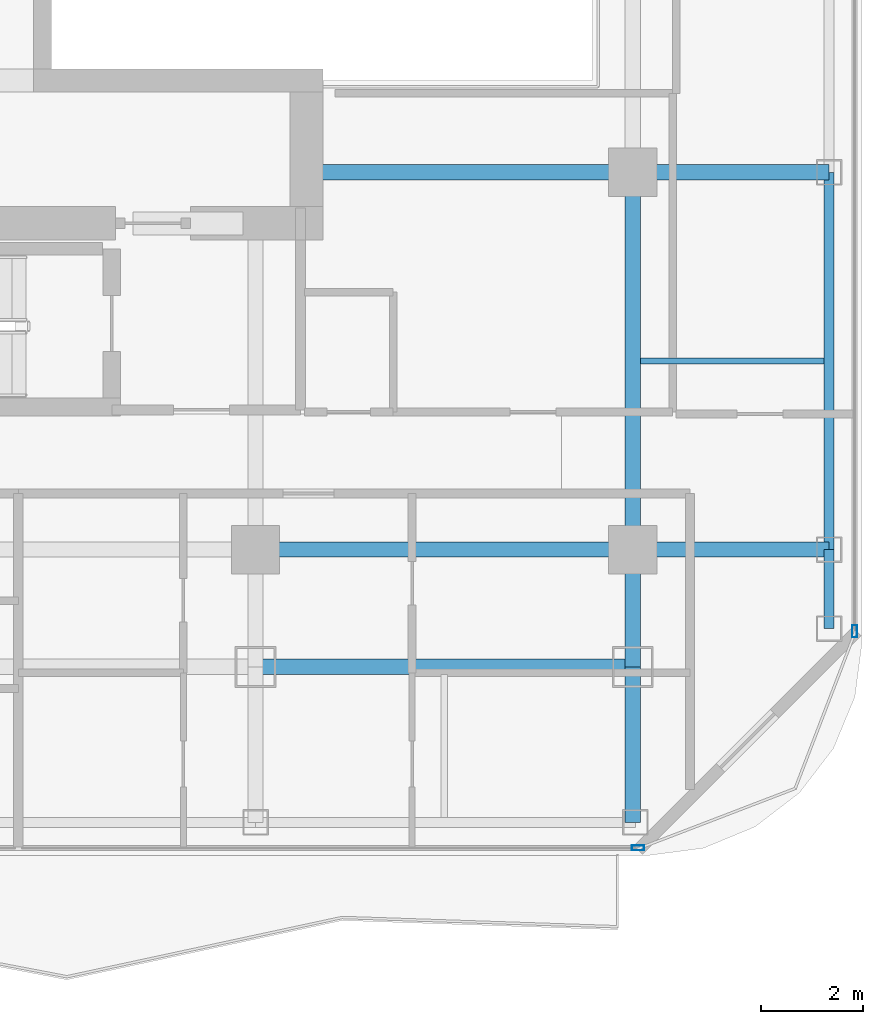
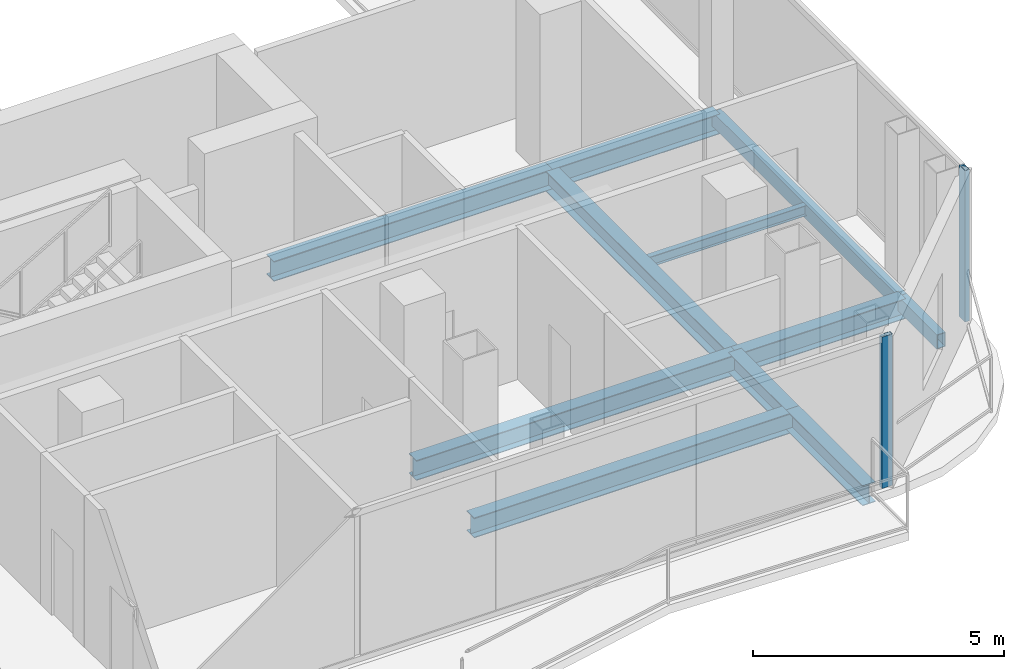
# One storey, part 8 of 22: 11 beams, 2 members, 2 elements without a shape of their own.
"""IFC4 building model written with IfcOpenShell, lengths in metres."""

import ifcopenshell
import ifcopenshell.guid

model = None  # the IFC model being written
_history = None  # IfcOwnerHistory: only IFC2X3 demands one
_inside = {}  # id of a spatial element -> (the spatial element, [elements in it])
_under = {}  # id of a project, library or spatial element -> (it, [spatial elements below it])
_declared = {}  # id of a project -> (the project, [libraries it declares])
_typed = {}  # id of a type object -> (the type object, [elements of that type])
_made_of = {}  # id of a material, layer set ... -> (it, [elements and type objects made of it])


def new_model(schema):
    """Start an empty IFC model of exactly this schema.

    Asked for "IFC4X3", IfcOpenShell would pick the latest addendum, in which some entities
    have other attributes; the version numbers below select the first issue.
    IFC2X3 requires an IfcOwnerHistory on every rooted entity: one is made here for all.
    """
    global model, _history
    if schema == "IFC4X3":
        model = ifcopenshell.file(schema_version=(4, 3, 0, 0))
    else:
        model = ifcopenshell.file(schema=schema)
    _inside.clear()
    _under.clear()
    _declared.clear()
    _typed.clear()
    _made_of.clear()
    _history = None
    if model.schema == "IFC2X3":
        org = make("IfcOrganization", Name="unknown")
        user = make(
            "IfcPersonAndOrganization",
            ThePerson=make("IfcPerson", FamilyName="unknown"),
            TheOrganization=org,
        )
        app = make(
            "IfcApplication",
            ApplicationDeveloper=org,
            Version="unknown",
            ApplicationFullName="unknown",
            ApplicationIdentifier="unknown",
        )
        _history = make(
            "IfcOwnerHistory",
            OwningUser=user,
            OwningApplication=app,
            ChangeAction="ADDED",
            CreationDate=0,
        )
    return model


def make(cls, **values):
    """One entity of the class cls with the attributes given. An attribute that is None is left unset."""
    return model.create_entity(
        cls, **{name: value for name, value in values.items() if value is not None}
    )


def rooted(cls, **values):
    """An entity with a GlobalId (a new one), such as an element, a storey or a relation."""
    return make(cls, GlobalId=ifcopenshell.guid.new(), OwnerHistory=_history, **values)


def si_unit(unit_type, name, prefix=None):
    """IfcSIUnit, for example si_unit("LENGTHUNIT", "METRE", prefix="MILLI")."""
    return make("IfcSIUnit", UnitType=unit_type, Prefix=prefix, Name=name)


def assignment(units):
    """IfcUnitAssignment: the units of a project."""
    return None if units is None else make("IfcUnitAssignment", Units=units)


def point(xyz):
    """IfcCartesianPoint."""
    return None if xyz is None else make("IfcCartesianPoint", Coordinates=xyz)


def direction(xyz):
    """IfcDirection."""
    return None if xyz is None else make("IfcDirection", DirectionRatios=xyz)


def frame(location, z_axis=None, x_axis=None):
    """IfcAxis2Placement3D, a coordinate frame: its origin and axes. An axis left out is left unset."""
    return make(
        "IfcAxis2Placement3D",
        Location=point(location),
        Axis=direction(z_axis),
        RefDirection=direction(x_axis),
    )


def frame_2d(location, x_axis=None):
    """IfcAxis2Placement2D, a coordinate frame in the plane: its origin and x axis."""
    return make(
        "IfcAxis2Placement2D", Location=point(location), RefDirection=direction(x_axis)
    )


def origin():
    """The frame at (0, 0, 0) with its axes left unset."""
    return frame((0.0, 0.0, 0.0))


def origin_2d():
    """The frame at (0, 0) in the plane with its x axis left unset."""
    return frame_2d((0.0, 0.0))


def place(relative_to, where):
    """IfcLocalPlacement: puts the frame where relative to a parent placement (None: the world)."""
    return make(
        "IfcLocalPlacement", PlacementRelTo=relative_to, RelativePlacement=where
    )


def context(
    kind, dimensions, precision=None, world=None, true_north=None, identifier=None
):
    """IfcGeometricRepresentationContext, for example the 3D "Model" context."""
    return make(
        "IfcGeometricRepresentationContext",
        ContextIdentifier=identifier,
        ContextType=kind,
        CoordinateSpaceDimension=dimensions,
        Precision=precision,
        WorldCoordinateSystem=world,
        TrueNorth=true_north,
    )


def subcontext(parent, identifier, kind, view, scale=None):
    """IfcGeometricRepresentationSubContext, for example "Body" below "Model"."""
    return make(
        "IfcGeometricRepresentationSubContext",
        ContextIdentifier=identifier,
        ContextType=kind,
        ParentContext=parent,
        TargetScale=scale,
        TargetView=view,
    )


def project(units=None, contexts=None):
    """IfcProject with its units and contexts."""
    return rooted(
        "IfcProject",
        Name="project",
        RepresentationContexts=contexts,
        UnitsInContext=assignment(units),
    )


def spatial(cls, under=None, at=None, **own):
    """A site, building, storey or space (cls), placed at a placement, below another one or the project."""
    s = rooted(cls, ObjectPlacement=at, **own)
    if under is not None:
        _under.setdefault(under.id(), (under, []))[1].append(s)
    return s


def profile(cls, at=None, kind="AREA", **sizes):
    """A parametric profile (cls). Its sizes go by their IFC names, for example OverallWidth=200.0."""
    return make(cls, ProfileType=kind, Position=at, **sizes)


def hollow_rectangle(**sizes):
    """IfcRectangleHollowProfileDef."""
    return profile("IfcRectangleHollowProfileDef", **sizes)


def i_section(**sizes):
    """IfcIShapeProfileDef."""
    return profile("IfcIShapeProfileDef", **sizes)


def extrude(swept, where, along, depth):
    """IfcExtrudedAreaSolid: the profile swept, set in the frame where, extruded along a direction by depth."""
    return make(
        "IfcExtrudedAreaSolid",
        SweptArea=swept,
        Position=where,
        ExtrudedDirection=direction(along),
        Depth=depth,
    )


def shape(context_of_items, identifier, shape_type, items):
    """IfcShapeRepresentation: the items that make up one representation, for example the "Body"."""
    return make(
        "IfcShapeRepresentation",
        ContextOfItems=context_of_items,
        RepresentationIdentifier=identifier,
        RepresentationType=shape_type,
        Items=items,
    )


def material(Name=None, Category=None):
    """IfcMaterial."""
    return make("IfcMaterial", Name=Name, Category=Category)


def layer(
    of_material, thickness, ventilated=None, Name=None, Category=None, Priority=None
):
    """IfcMaterialLayer: one layer of a wall or slab, of a material (None: an air gap)."""
    return make(
        "IfcMaterialLayer",
        Material=of_material,
        LayerThickness=thickness,
        IsVentilated=ventilated,
        Name=Name,
        Category=Category,
        Priority=Priority,
    )


def layer_set(layers, Name=None):
    """IfcMaterialLayerSet."""
    return make("IfcMaterialLayerSet", MaterialLayers=layers, LayerSetName=Name)


def material_profile(
    of_material, cross_section, Name=None, Category=None, Priority=None
):
    """IfcMaterialProfile: a cross section and its material."""
    return make(
        "IfcMaterialProfile",
        Name=Name,
        Material=of_material,
        Profile=cross_section,
        Priority=Priority,
        Category=Category,
    )


def profile_set(profiles, Name=None, composite=None):
    """IfcMaterialProfileSet."""
    return make(
        "IfcMaterialProfileSet",
        Name=Name,
        MaterialProfiles=profiles,
        CompositeProfile=composite,
    )


def made_of(thing, what):
    """Note that an element or type object is made of a material, layer set ...; save() writes the relation."""
    if what is not None:
        _made_of.setdefault(what.id(), (what, []))[1].append(thing)
    return thing


def type_object(cls, material=None, **own):
    """A type object (cls), such as IfcWallType, which elements share."""
    return made_of(rooted(cls, **own), material)


def element(
    cls,
    number,
    at=None,
    inside=None,
    cuts=None,
    type_object=None,
    material=None,
    context=None,
    identifier="Body",
    shape_type=None,
    held_by="IfcProductDefinitionShape",
    body=None,
    shapes=None,
    **own,
):
    """One element of the class cls, such as IfcWall. Its Tag is "e" and its number.

    at: its placement. inside: the storey or other place that contains it. cuts: it is an
    opening in that element (IfcRelVoidsElement). A single representation is given by context,
    identifier, shape_type and body (its items); several are given by shapes. held_by: the class
    of the entity that holds the representations. save() writes the other relations.
    """
    e = rooted(cls, Tag="e%d" % number, ObjectPlacement=at, **own)
    if body is not None:
        shapes = [shape(context, identifier, shape_type, body)]
    if shapes is not None:
        e.Representation = make(held_by, Representations=shapes)
    if inside is not None:
        _inside.setdefault(inside.id(), (inside, []))[1].append(e)
    if cuts is not None:
        rooted(
            "IfcRelVoidsElement", RelatingBuildingElement=cuts, RelatedOpeningElement=e
        )
    if type_object is not None:
        _typed.setdefault(type_object.id(), (type_object, []))[1].append(e)
    return made_of(e, material)


def aggregate(whole, parts):
    """IfcRelAggregates: a whole, such as a stair, and the parts it consists of."""
    return rooted("IfcRelAggregates", RelatingObject=whole, RelatedObjects=parts)


def save(model, path):
    """Write the relations noted so far, then the file.

    IfcRelAggregates (storeys below a building ...), IfcRelContainedInSpatialStructure (elements
    in a storey), IfcRelDefinesByType, IfcRelAssociatesMaterial and IfcRelDeclares: one each for
    every whole, place, type object, material and project.
    """
    for whole, parts in _under.values():
        aggregate(whole, parts)
    for where, things in _inside.values():
        rooted(
            "IfcRelContainedInSpatialStructure",
            RelatedElements=things,
            RelatingStructure=where,
        )
    for kind, things in _typed.values():
        rooted("IfcRelDefinesByType", RelatedObjects=things, RelatingType=kind)
    for what, things in _made_of.values():
        rooted("IfcRelAssociatesMaterial", RelatedObjects=things, RelatingMaterial=what)
    for by, libraries in _declared.values():
        rooted("IfcRelDeclares", RelatingContext=by, RelatedDefinitions=libraries)
    model.write(path)


model = new_model("IFC4")

# Units and contexts
model_context = context("Model", 3, precision=1e-05, world=origin(), true_north=direction((0.0, 1.0)))
body_context = subcontext(model_context, "Body", "Model", "MODEL_VIEW")
ifc_project = project(units=[si_unit("LENGTHUNIT", "METRE"), si_unit("AREAUNIT", "SQUARE_METRE"), si_unit("VOLUMEUNIT", "CUBIC_METRE"), si_unit("PLANEANGLEUNIT", "RADIAN"), si_unit("MASSUNIT", "GRAM", prefix="KILO")], contexts=[model_context])

# Site, building, storey
site_placement = place(None, origin())
site = spatial("IfcSite", under=ifc_project, at=site_placement, CompositionType="ELEMENT")
building_placement = place(site_placement, origin())
building = spatial("IfcBuilding", under=site, at=building_placement, Name="Khorvyn Point Tower", CompositionType="ELEMENT")
storey_placement = place(building_placement, frame((0.0, 0.0, 305.39990234375)))
storey = spatial("IfcBuildingStorey", under=building, at=storey_placement, Name="L75", CompositionType="ELEMENT", Elevation=305.39990234375)

# Curtain wall, member
ifc_material_1 = material(Name="Anodised aluminium 6063-T6 and laminated Low-E glass", Category="aluminium")
ifc_layer = layer(ifc_material_1, 0.18994140625)
ifc_layer_set = layer_set([ifc_layer], Name="Stick-Built High-Wind Curtain Wall CW-SYS-04")
curtain_wall_type = type_object("IfcCurtainWallType", Name="Stick-Built High-Wind Curtain Wall CW-SYS-04", PredefinedType="NOTDEFINED", material=ifc_layer_set)
curtain_wall_1_placement = place(storey_placement, origin())
curtain_wall_1 = element("IfcCurtainWall", 1, at=curtain_wall_1_placement, inside=storey, type_object=curtain_wall_type, Name="Curtain Wall", PredefinedType="NOTDEFINED")
ifc_material_2 = material(Name="Anodised aluminium 6063-T6", Category="aluminium")
ifc_material_profile_1 = material_profile(ifc_material_2, hollow_rectangle(XDim=0.10009765625, YDim=0.239990234375, WallThickness=0.0048828125, at=origin_2d()))
ifc_profile_set_1 = profile_set([ifc_material_profile_1], Name="Anodised aluminium 6063-T6 ALU-MUL-100x240")
member_type = type_object("IfcMemberType", Name="Anodised Aluminium 6063-T6 Mullion ALU-MUL-100x240", PredefinedType="MULLION", material=ifc_profile_set_1)
member_1_placement = place(storey_placement, frame((14.89990234375, -20.64990234375, 0.0), z_axis=(0.0, 0.0, 1.0), x_axis=(0.0, -1.0, 0.0)))
member_1 = element("IfcMember", 2, at=member_1_placement, type_object=member_type, Name="Transom", PredefinedType="MULLION", context=body_context, shape_type="SweptSolid", body=[
    extrude(hollow_rectangle(XDim=0.10009765625, YDim=0.239990234375, WallThickness=0.0048828125, at=origin_2d()), origin(), (0.0, 0.0, 1.0), 3.68017578125),
])
aggregate(curtain_wall_1, [member_1])

curtain_wall_2_placement = place(storey_placement, origin())
curtain_wall_2 = element("IfcCurtainWall", 3, at=curtain_wall_2_placement, inside=storey, type_object=curtain_wall_type, Name="Curtain Wall", PredefinedType="NOTDEFINED")
member_2_placement = place(storey_placement, frame((19.14990234375, -16.39990234375, 0.0), z_axis=(0.0, 0.0, 1.0), x_axis=(1.0, 0.0, 0.0)))
member_2 = element("IfcMember", 4, at=member_2_placement, type_object=member_type, Name="Transom", PredefinedType="MULLION", context=body_context, shape_type="SweptSolid", body=[
    extrude(hollow_rectangle(XDim=0.10009765625, YDim=0.239990234375, WallThickness=0.0048828125, at=origin_2d()), origin(), (0.0, 0.0, 1.0), 3.68017578125),
])
aggregate(curtain_wall_2, [member_2])

# Beams
ifc_material_3 = material(Name="Steel S355", Category="steel")
ifc_material_profile_2 = material_profile(ifc_material_3, i_section(OverallWidth=0.125, OverallDepth=0.25, WebThickness=0.006103515625, FlangeThickness=0.009033203125, at=origin_2d()))
ifc_profile_set_2 = profile_set([ifc_material_profile_2], Name="Steel S355 H250x125x6x9")
beam_type_1 = type_object("IfcBeamType", Name="Steel S355 Joist H250x125x6x9", PredefinedType="JOIST", material=ifc_profile_set_2)
beam_1_placement = place(storey_placement, frame((14.949951171875, -11.10009765625, -0.344970703125), z_axis=(1.0, 0.0, 0.0), x_axis=(0.0, 1.0, 0.0)))
element("IfcBeam", 5, at=beam_1_placement, inside=storey, type_object=beam_type_1, Name="Beam", PredefinedType="JOIST", context=body_context, shape_type="SweptSolid", body=[
    extrude(i_section(OverallWidth=0.125, OverallDepth=0.25, WebThickness=0.006103515625, FlangeThickness=0.009033203125, at=origin_2d()), origin(), (0.0, 0.0, 1.0), 3.60009765625),
])
ifc_material_profile_3 = material_profile(ifc_material_3, i_section(OverallWidth=0.300048828125, OverallDepth=0.488037109375, WebThickness=0.010986328125, FlangeThickness=0.01806640625, at=origin_2d()))
ifc_profile_set_3 = profile_set([ifc_material_profile_3], Name="Steel S355 H488x300x11x18")
beam_type_2 = type_object("IfcBeamType", Name="Steel S355 Spandrel H488x300x11x18", PredefinedType="SPANDREL", material=ifc_profile_set_3)
beam_2_placement = place(storey_placement, frame((7.39990234375, -14.800048828125, -0.4638671875), z_axis=(1.0, 0.0, 0.0), x_axis=(0.0, 1.0, 0.0)))
element("IfcBeam", 6, at=beam_2_placement, inside=storey, type_object=beam_type_2, Name="Beam", PredefinedType="SPANDREL", context=body_context, shape_type="SweptSolid", body=[
    extrude(i_section(OverallWidth=0.300048828125, OverallDepth=0.488037109375, WebThickness=0.010986328125, FlangeThickness=0.01806640625, at=origin_2d()), origin(), (0.0, 0.0, 1.0), 7.400146484375),
])
beam_3_placement = place(storey_placement, frame((14.800048828125, -14.800048828125, -0.4638671875), z_axis=(1.0, 0.0, 0.0), x_axis=(0.0, 1.0, 0.0)))
element("IfcBeam", 7, at=beam_3_placement, inside=storey, type_object=beam_type_2, Name="Beam", PredefinedType="SPANDREL", context=body_context, shape_type="SweptSolid", body=[
    extrude(i_section(OverallWidth=0.300048828125, OverallDepth=0.488037109375, WebThickness=0.010986328125, FlangeThickness=0.01806640625, at=origin_2d()), origin(), (0.0, 0.0, 1.0), 3.849853515625),
])
beam_4_placement = place(storey_placement, frame((8.39990234375, -7.39990234375, -0.4638671875), z_axis=(1.0, 0.0, 0.0), x_axis=(0.0, 1.0, 0.0)))
element("IfcBeam", 8, at=beam_4_placement, inside=storey, type_object=beam_type_2, Name="Beam", PredefinedType="SPANDREL", context=body_context, shape_type="SweptSolid", body=[
    extrude(i_section(OverallWidth=0.300048828125, OverallDepth=0.488037109375, WebThickness=0.010986328125, FlangeThickness=0.01806640625, at=origin_2d()), origin(), (0.0, 0.0, 1.0), 6.400146484375),
])
beam_5_placement = place(storey_placement, frame((14.800048828125, -7.39990234375, -0.4638671875), z_axis=(1.0, 0.0, 0.0), x_axis=(0.0, 1.0, 0.0)))
element("IfcBeam", 9, at=beam_5_placement, inside=storey, type_object=beam_type_2, Name="Beam", PredefinedType="SPANDREL", context=body_context, shape_type="SweptSolid", body=[
    extrude(i_section(OverallWidth=0.300048828125, OverallDepth=0.488037109375, WebThickness=0.010986328125, FlangeThickness=0.01806640625, at=origin_2d()), origin(), (0.0, 0.0, 1.0), 3.849853515625),
])
beam_6_placement = place(storey_placement, frame((7.39990234375, -17.10009765625, -0.4638671875), z_axis=(1.0, 0.0, 0.0), x_axis=(0.0, 1.0, 0.0)))
element("IfcBeam", 10, at=beam_6_placement, inside=storey, type_object=beam_type_2, Name="Beam", PredefinedType="SPANDREL", context=body_context, shape_type="SweptSolid", body=[
    extrude(i_section(OverallWidth=0.300048828125, OverallDepth=0.488037109375, WebThickness=0.010986328125, FlangeThickness=0.01806640625, at=origin_2d()), origin(), (0.0, 0.0, 1.0), 7.400146484375),
])
beam_7_placement = place(storey_placement, frame((14.800048828125, -20.14990234375, -0.4638671875), z_axis=(0.0, 1.0, 0.0), x_axis=(-1.0, 0.0, 0.0)))
element("IfcBeam", 11, at=beam_7_placement, inside=storey, type_object=beam_type_2, Name="Beam", PredefinedType="SPANDREL", context=body_context, shape_type="SweptSolid", body=[
    extrude(i_section(OverallWidth=0.300048828125, OverallDepth=0.488037109375, WebThickness=0.010986328125, FlangeThickness=0.01806640625, at=origin_2d()), origin(), (0.0, 0.0, 1.0), 3.0498046875),
])
beam_8_placement = place(storey_placement, frame((14.800048828125, -17.10009765625, -0.4638671875), z_axis=(0.0, 1.0, 0.0), x_axis=(-1.0, 0.0, 0.0)))
element("IfcBeam", 12, at=beam_8_placement, inside=storey, type_object=beam_type_2, Name="Beam", PredefinedType="SPANDREL", context=body_context, shape_type="SweptSolid", body=[
    extrude(i_section(OverallWidth=0.300048828125, OverallDepth=0.488037109375, WebThickness=0.010986328125, FlangeThickness=0.01806640625, at=origin_2d()), origin(), (0.0, 0.0, 1.0), 2.300048828125),
])
beam_9_placement = place(storey_placement, frame((14.800048828125, -14.800048828125, -0.4638671875), z_axis=(0.0, 1.0, 0.0), x_axis=(-1.0, 0.0, 0.0)))
element("IfcBeam", 13, at=beam_9_placement, inside=storey, type_object=beam_type_2, Name="Beam", PredefinedType="SPANDREL", context=body_context, shape_type="SweptSolid", body=[
    extrude(i_section(OverallWidth=0.300048828125, OverallDepth=0.488037109375, WebThickness=0.010986328125, FlangeThickness=0.01806640625, at=origin_2d()), origin(), (0.0, 0.0, 1.0), 7.400146484375),
])
ifc_material_profile_4 = material_profile(ifc_material_3, hollow_rectangle(XDim=0.199951171875, YDim=0.35009765625, WallThickness=0.013916015625, at=origin_2d()))
ifc_profile_set_4 = profile_set([ifc_material_profile_4], Name="Steel S355 RHS350x200x14")
beam_type_3 = type_object("IfcBeamType", Name="Steel S355 Spandrel RHS350x200x14", PredefinedType="SPANDREL", material=ifc_profile_set_4)
beam_10_placement = place(storey_placement, frame((18.64990234375, -16.35009765625, -0.39501953125), z_axis=(0.0, 1.0, 0.0), x_axis=(-1.0, 0.0, 0.0)))
element("IfcBeam", 14, at=beam_10_placement, inside=storey, type_object=beam_type_3, Name="Beam", PredefinedType="SPANDREL", context=body_context, shape_type="SweptSolid", body=[
    extrude(hollow_rectangle(XDim=0.199951171875, YDim=0.35009765625, WallThickness=0.013916015625, at=origin_2d()), origin(), (0.0, 0.0, 1.0), 1.550048828125),
])
beam_11_placement = place(storey_placement, frame((18.64990234375, -14.800048828125, -0.39501953125), z_axis=(0.0, 1.0, 0.0), x_axis=(-1.0, 0.0, 0.0)))
element("IfcBeam", 15, at=beam_11_placement, inside=storey, type_object=beam_type_3, Name="Beam", PredefinedType="SPANDREL", context=body_context, shape_type="SweptSolid", body=[
    extrude(hollow_rectangle(XDim=0.199951171875, YDim=0.35009765625, WallThickness=0.013916015625, at=origin_2d()), origin(), (0.0, 0.0, 1.0), 7.400146484375),
])

save(model, "model.ifc")
